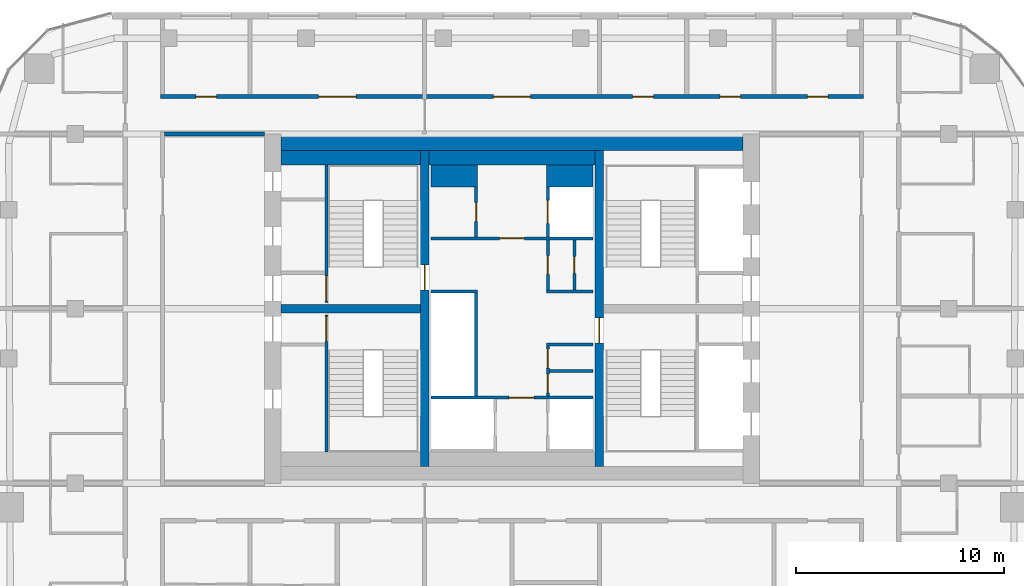
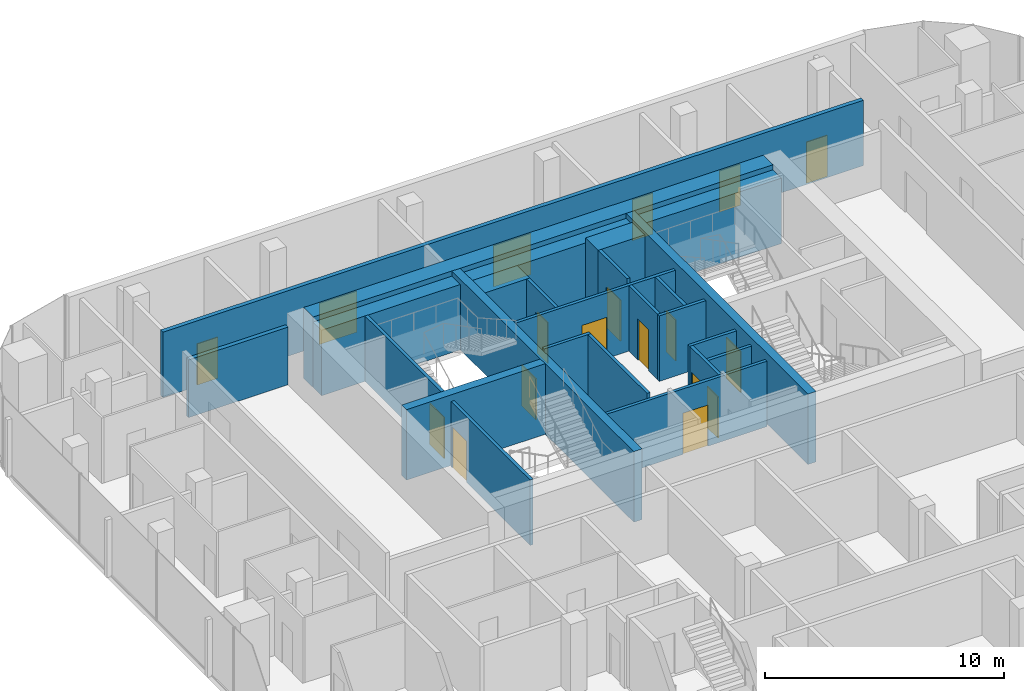
# One storey, part 18 of 21: 23 walls, 18 doors, 18 openings.
"""IFC4 building model written with IfcOpenShell, lengths in metres."""

from ifc_helpers import new_model, si_unit, direction, frame, frame_2d, origin, place, context, subcontext, project, spatial, rectangle, extrude, material, layer, layer_set, type_object, element, fill, save


model = new_model("IFC4")

# Units and contexts
model_context = context("Model", 3, precision=1e-05, world=origin(), true_north=direction((0.0, 1.0)))
body_context = subcontext(model_context, "Body", "Model", "MODEL_VIEW")
ifc_project = project(units=[si_unit("LENGTHUNIT", "METRE"), si_unit("AREAUNIT", "SQUARE_METRE"), si_unit("VOLUMEUNIT", "CUBIC_METRE"), si_unit("PLANEANGLEUNIT", "RADIAN"), si_unit("MASSUNIT", "GRAM", prefix="KILO")], contexts=[model_context])

# Site, building, storey
site_placement = place(None, origin())
site = spatial("IfcSite", under=ifc_project, at=site_placement, CompositionType="ELEMENT")
building_placement = place(site_placement, origin())
building = spatial("IfcBuilding", under=site, at=building_placement, Name="Marenta Gate Hotel Tower", CompositionType="ELEMENT")
storey_placement = place(building_placement, frame((0.0, 0.0, 245.300048828125)))
storey = spatial("IfcBuildingStorey", under=building, at=storey_placement, Name="L58", CompositionType="ELEMENT", Elevation=245.300048828125)

# Walls
ifc_material_1 = material(Name="Concrete blockwork", Category="masonry")
ifc_layer_1 = layer(ifc_material_1, 0.199951171875)
ifc_layer_set_1 = layer_set([ifc_layer_1], Name="Concrete blockwork")
wall_type_1 = type_object("IfcWallType", Name="Core boundary wall 200 REI 180", PredefinedType="PARTITIONING", material=ifc_layer_set_1)
wall_1_placement = place(storey_placement, frame((-16.699951171875, 16.800048828125, 0.0), z_axis=(0.0, 0.0, 1.0), x_axis=(1.0, 0.0, 0.0)))
element("IfcWall", 1, at=wall_1_placement, inside=storey, type_object=wall_type_1, Name="L58-CP-EW-WN", PredefinedType="PARTITIONING", context=body_context, shape_type="SweptSolid", body=[
    extrude(rectangle(XDim=4.800048828125, YDim=0.199951171875, at=frame_2d((2.39990234375, 0.0))), origin(), (0.0, 0.0, 1.0), 2.93994140625),
])
ifc_material_2 = material(Name="Concrete C40", Category="concrete")
ifc_layer_2 = layer(ifc_material_2, 0.699951171875)
ifc_layer_set_2 = layer_set([ifc_layer_2], Name="Concrete C40")
wall_type_2 = type_object("IfcWallType", Name="Core lining wall 700 REI 180", PredefinedType="PARTITIONING", material=ifc_layer_set_2)
wall_2_placement = place(storey_placement, frame((-11.10009765625, 15.64990234375, 0.0), z_axis=(0.0, 0.0, 1.0), x_axis=(1.0, 0.0, 0.0)))
element("IfcWall", 2, at=wall_2_placement, inside=storey, type_object=wall_type_2, Name="L58-CP-LN-N", PredefinedType="PARTITIONING", context=body_context, shape_type="SweptSolid", body=[
    extrude(rectangle(XDim=22.2001953125, YDim=0.699951171875, at=frame_2d((11.10009765625, 0.0))), origin(), (0.0, 0.0, 1.0), 3.33984375),
])

# Wall, opening, door
ifc_material_3 = material(Name="Concrete blockwork", Category="masonry")
ifc_layer_3 = layer(ifc_material_3, 0.14990234375)
ifc_layer_set_3 = layer_set([ifc_layer_3], Name="Concrete blockwork")
wall_type_3 = type_object("IfcWallType", Name="Core lobby partition 150 REI 180", PredefinedType="PARTITIONING", material=ifc_layer_set_3)
wall_3_placement = place(storey_placement, frame((-3.89990234375, 4.125, 0.0), z_axis=(0.0, 0.0, 1.0), x_axis=(1.0, 0.0, 0.0)))
wall_3 = element("IfcWall", 3, at=wall_3_placement, inside=storey, type_object=wall_type_3, Name="L58-CP-CW-S", PredefinedType="PARTITIONING", context=body_context, shape_type="SweptSolid", body=[
    extrude(rectangle(XDim=7.7998046875, YDim=0.14990234375, at=frame_2d((3.89990234375, 0.0))), origin(), (0.0, 0.0, 1.0), 3.33984375),
])
opening_1_placement = place(wall_3_placement, frame((3.75, 0.0, 0.0)))
opening_1 = element("IfcOpeningElement", 4, at=opening_1_placement, cuts=wall_3, Name="Opening FD-FFS", PredefinedType="OPENING", context=body_context, shape_type="SweptSolid", body=[
    extrude(rectangle(XDim=1.199951171875, YDim=2.10009765625, at=frame_2d((0.60009765625, 1.050048828125))), frame((0.0, 0.074951171875, 0.0), z_axis=(0.0, -1.0, 0.0), x_axis=(1.0, 0.0, 0.0)), (0.0, 0.0, 1.0), 0.14990234375),
])
ifc_material_4 = material(Name="Steel", Category="steel")
door_type_1 = type_object("IfcDoorType", Name="Core lobby door 1200x2100 FD60", OperationType="SINGLE_SWING_LEFT", PredefinedType="DOOR", material=ifc_material_4)
door_1_placement = place(opening_1_placement, origin())
door_1 = element("IfcDoor", 5, at=door_1_placement, inside=storey, type_object=door_type_1, Name="FD-FFS", OperationType="SINGLE_SWING_LEFT", OverallHeight=2.10009765625, OverallWidth=1.199951171875, PredefinedType="DOOR", context=body_context, shape_type="SweptSolid", body=[
    extrude(rectangle(XDim=1.199951171875, YDim=2.10009765625, at=frame_2d((0.60009765625, 1.050048828125))), frame((0.0, 0.02490234375, 0.0), z_axis=(0.0, -1.0, 0.0), x_axis=(1.0, 0.0, 0.0)), (0.0, 0.0, 1.0), 0.050048828125),
])
fill(opening_1, door_1)

wall_4_placement = place(storey_placement, frame((-3.89990234375, 11.77490234375, 0.0), z_axis=(0.0, 0.0, 1.0), x_axis=(1.0, 0.0, 0.0)))
wall_4 = element("IfcWall", 6, at=wall_4_placement, inside=storey, type_object=wall_type_3, Name="L58-CP-CW-N", PredefinedType="PARTITIONING", context=body_context, shape_type="SweptSolid", body=[
    extrude(rectangle(XDim=7.7998046875, YDim=0.14990234375, at=frame_2d((3.89990234375, 0.0))), origin(), (0.0, 0.0, 1.0), 3.33984375),
])
opening_2_placement = place(wall_4_placement, frame((3.300048828125, 0.0, 0.0)))
opening_2 = element("IfcOpeningElement", 7, at=opening_2_placement, cuts=wall_4, Name="Opening FD-FFN", PredefinedType="OPENING", context=body_context, shape_type="SweptSolid", body=[
    extrude(rectangle(XDim=1.199951171875, YDim=2.10009765625, at=frame_2d((0.60009765625, 1.050048828125))), frame((0.0, 0.074951171875, 0.0), z_axis=(0.0, -1.0, 0.0), x_axis=(1.0, 0.0, 0.0)), (0.0, 0.0, 1.0), 0.14990234375),
])
door_2_placement = place(opening_2_placement, origin())
door_2 = element("IfcDoor", 8, at=door_2_placement, inside=storey, type_object=door_type_1, Name="FD-FFN", OperationType="SINGLE_SWING_LEFT", OverallHeight=2.10009765625, OverallWidth=1.199951171875, PredefinedType="DOOR", context=body_context, shape_type="SweptSolid", body=[
    extrude(rectangle(XDim=1.199951171875, YDim=2.10009765625, at=frame_2d((0.60009765625, 1.050048828125))), frame((0.0, 0.02490234375, 0.0), z_axis=(0.0, -1.0, 0.0), x_axis=(1.0, 0.0, 0.0)), (0.0, 0.0, 1.0), 0.050048828125),
])
fill(opening_2, door_2)

# Wall
ifc_material_5 = material(Name="Concrete blockwork", Category="masonry")
ifc_layer_4 = layer(ifc_material_5, 1.050048828125)
ifc_layer_set_4 = layer_set([ifc_layer_4], Name="Concrete blockwork")
wall_type_4 = type_object("IfcWallType", Name="Core room partition 1050 REI 180", PredefinedType="PARTITIONING", material=ifc_layer_set_4)
wall_5_placement = place(storey_placement, frame((-3.89990234375, 14.77490234375, 0.0), z_axis=(0.0, 0.0, 1.0), x_axis=(1.0, 0.0, 0.0)))
element("IfcWall", 9, at=wall_5_placement, inside=storey, type_object=wall_type_4, Name="L58-CP-CW-W-riser-N", PredefinedType="PARTITIONING", context=body_context, shape_type="SweptSolid", body=[
    extrude(rectangle(XDim=2.25, YDim=1.050048828125, at=frame_2d((1.125, 0.0))), origin(), (0.0, 0.0, 1.0), 3.33984375),
])

# Wall, opening, door
ifc_material_6 = material(Name="Concrete blockwork", Category="masonry")
ifc_layer_5 = layer(ifc_material_6, 0.14990234375)
ifc_layer_set_5 = layer_set([ifc_layer_5], Name="Concrete blockwork")
wall_type_5 = type_object("IfcWallType", Name="Core room partition 150 REI 180", PredefinedType="PARTITIONING", material=ifc_layer_set_5)
wall_6_placement = place(storey_placement, frame((-1.72509765625, 11.85009765625, 0.0), z_axis=(0.0, 0.0, 1.0), x_axis=(0.0, 1.0, 0.0)))
wall_6 = element("IfcWall", 10, at=wall_6_placement, inside=storey, type_object=wall_type_5, Name="L58-CP-CW-W-riser-front", PredefinedType="PARTITIONING", context=body_context, shape_type="SweptSolid", body=[
    extrude(rectangle(XDim=2.39990234375, YDim=0.14990234375, at=frame_2d((1.199951171875, 0.0))), origin(), (0.0, 0.0, 1.0), 3.33984375),
])
opening_3_placement = place(wall_6_placement, frame((0.75, 0.0, 0.0)))
opening_3 = element("IfcOpeningElement", 11, at=opening_3_placement, cuts=wall_6, Name="Opening RD-CRISER", PredefinedType="OPENING", context=body_context, shape_type="SweptSolid", body=[
    extrude(rectangle(XDim=0.89990234375, YDim=2.10009765625, at=frame_2d((0.449951171875, 1.050048828125))), frame((0.0, 0.074951171875, 0.0), z_axis=(0.0, -1.0, 0.0), x_axis=(1.0, 0.0, 0.0)), (0.0, 0.0, 1.0), 0.14990234375),
])
ifc_material_7 = material(Name="Steel", Category="steel")
door_type_2 = type_object("IfcDoorType", Name="Core riser door 900x2100 FD60", OperationType="SINGLE_SWING_LEFT", PredefinedType="DOOR", material=ifc_material_7)
door_3_placement = place(opening_3_placement, origin())
door_3 = element("IfcDoor", 12, at=door_3_placement, inside=storey, type_object=door_type_2, Name="RD-CRISER", OperationType="SINGLE_SWING_LEFT", OverallHeight=2.10009765625, OverallWidth=0.89990234375, PredefinedType="DOOR", context=body_context, shape_type="SweptSolid", body=[
    extrude(rectangle(XDim=0.89990234375, YDim=2.10009765625, at=frame_2d((0.449951171875, 1.050048828125))), frame((0.0, 0.02490234375, 0.0), z_axis=(0.0, -1.0, 0.0), x_axis=(1.0, 0.0, 0.0)), (0.0, 0.0, 1.0), 0.050048828125),
])
fill(opening_3, door_3)

# Walls
for number, where, z_axis, x_axis, name in (
    (13, (1.64990234375, 6.675048828125, 0.0), (0.0, 0.0, 1.0), (1.0, 0.0, 0.0), "L58-CP-CE-sep1"),
    (14, (1.64990234375, 9.22509765625, 0.0), (0.0, 0.0, 1.0), (1.0, 0.0, 0.0), "L58-CP-CE-sep2"),
):
    element("IfcWall", number, at=place(storey_placement, frame(where, z_axis=z_axis, x_axis=x_axis)), inside=storey, type_object=wall_type_5, Name=name, PredefinedType="PARTITIONING", context=body_context, shape_type="SweptSolid", body=[
        extrude(rectangle(XDim=2.25, YDim=0.14990234375, at=frame_2d((1.125, 0.0))), origin(), (0.0, 0.0, 1.0), 3.33984375),
    ])

# Wall, openings, doors
wall_7_placement = place(storey_placement, frame((1.72509765625, 4.199951171875, 0.0), z_axis=(0.0, 0.0, 1.0), x_axis=(0.0, 1.0, 0.0)))
wall_7 = element("IfcWall", 15, at=wall_7_placement, inside=storey, type_object=wall_type_5, Name="L58-CP-CE-front-1", PredefinedType="PARTITIONING", context=body_context, shape_type="SweptSolid", body=[
    extrude(rectangle(XDim=2.400146484375, YDim=0.14990234375, at=frame_2d((1.2001953125, 0.0))), origin(), (0.0, 0.0, 1.0), 3.33984375),
])
opening_4_placement = place(wall_7_placement, frame((0.14990234375, 0.0, 0.0)))
opening_4 = element("IfcOpeningElement", 16, at=opening_4_placement, cuts=wall_7, Name="Opening RD-CE-1a", PredefinedType="OPENING", context=body_context, shape_type="SweptSolid", body=[
    extrude(rectangle(XDim=0.89990234375, YDim=2.10009765625, at=frame_2d((0.449951171875, 1.050048828125))), frame((0.0, 0.074951171875, 0.0), z_axis=(0.0, -1.0, 0.0), x_axis=(1.0, 0.0, 0.0)), (0.0, 0.0, 1.0), 0.14990234375),
])
opening_5_placement = place(wall_7_placement, frame((1.35009765625, 0.0, 0.0)))
opening_5 = element("IfcOpeningElement", 17, at=opening_5_placement, cuts=wall_7, Name="Opening RD-CE-1b-B", PredefinedType="OPENING", context=body_context, shape_type="SweptSolid", body=[
    extrude(rectangle(XDim=0.89990234375, YDim=2.10009765625, at=frame_2d((0.449951171875, 1.050048828125))), frame((0.0, 0.074951171875, 0.0), z_axis=(0.0, -1.0, 0.0), x_axis=(1.0, 0.0, 0.0)), (0.0, 0.0, 1.0), 0.14990234375),
])
ifc_material_8 = material(Name="Steel", Category="steel")
door_type_3 = type_object("IfcDoorType", Name="Core service room door 900x2100 FD30S", OperationType="SINGLE_SWING_LEFT", PredefinedType="DOOR", material=ifc_material_8)
door_4_placement = place(opening_4_placement, origin())
door_4 = element("IfcDoor", 18, at=door_4_placement, inside=storey, type_object=door_type_3, Name="RD-CE-1a", OperationType="SINGLE_SWING_LEFT", OverallHeight=2.10009765625, OverallWidth=0.89990234375, PredefinedType="DOOR", context=body_context, shape_type="SweptSolid", body=[
    extrude(rectangle(XDim=0.89990234375, YDim=2.10009765625, at=frame_2d((0.449951171875, 1.050048828125))), frame((0.0, 0.02490234375, 0.0), z_axis=(0.0, -1.0, 0.0), x_axis=(1.0, 0.0, 0.0)), (0.0, 0.0, 1.0), 0.050048828125),
])
fill(opening_4, door_4)
door_5_placement = place(opening_5_placement, origin())
door_5 = element("IfcDoor", 19, at=door_5_placement, inside=storey, type_object=door_type_3, Name="RD-CE-1b-B", OperationType="SINGLE_SWING_LEFT", OverallHeight=2.10009765625, OverallWidth=0.89990234375, PredefinedType="DOOR", context=body_context, shape_type="SweptSolid", body=[
    extrude(rectangle(XDim=0.89990234375, YDim=2.10009765625, at=frame_2d((0.449951171875, 1.050048828125))), frame((0.0, 0.02490234375, 0.0), z_axis=(0.0, -1.0, 0.0), x_axis=(1.0, 0.0, 0.0)), (0.0, 0.0, 1.0), 0.050048828125),
])
fill(opening_5, door_5)

# Wall, opening, door
wall_8_placement = place(storey_placement, frame((1.72509765625, 9.300048828125, 0.0), z_axis=(0.0, 0.0, 1.0), x_axis=(0.0, 1.0, 0.0)))
wall_8 = element("IfcWall", 20, at=wall_8_placement, inside=storey, type_object=wall_type_5, Name="L58-CP-CE-front-2", PredefinedType="PARTITIONING", context=body_context, shape_type="SweptSolid", body=[
    extrude(rectangle(XDim=2.39990234375, YDim=0.14990234375, at=frame_2d((1.199951171875, 0.0))), origin(), (0.0, 0.0, 1.0), 3.33984375),
])
opening_6_placement = place(wall_8_placement, frame((0.75, 0.0, 0.0)))
opening_6 = element("IfcOpeningElement", 21, at=opening_6_placement, cuts=wall_8, Name="Opening RD-CE-2a", PredefinedType="OPENING", context=body_context, shape_type="SweptSolid", body=[
    extrude(rectangle(XDim=0.89990234375, YDim=2.10009765625, at=frame_2d((0.449951171875, 1.050048828125))), frame((0.0, 0.074951171875, 0.0), z_axis=(0.0, -1.0, 0.0), x_axis=(1.0, 0.0, 0.0)), (0.0, 0.0, 1.0), 0.14990234375),
])
door_6_placement = place(opening_6_placement, origin())
door_6 = element("IfcDoor", 22, at=door_6_placement, inside=storey, type_object=door_type_3, Name="RD-CE-2a", OperationType="SINGLE_SWING_LEFT", OverallHeight=2.10009765625, OverallWidth=0.89990234375, PredefinedType="DOOR", context=body_context, shape_type="SweptSolid", body=[
    extrude(rectangle(XDim=0.89990234375, YDim=2.10009765625, at=frame_2d((0.449951171875, 1.050048828125))), frame((0.0, 0.02490234375, 0.0), z_axis=(0.0, -1.0, 0.0), x_axis=(1.0, 0.0, 0.0)), (0.0, 0.0, 1.0), 0.050048828125),
])
fill(opening_6, door_6)

# Wall
wall_9_placement = place(storey_placement, frame((1.800048828125, 5.39990234375, 0.0), z_axis=(0.0, 0.0, 1.0), x_axis=(1.0, 0.0, 0.0)))
element("IfcWall", 23, at=wall_9_placement, inside=storey, type_object=wall_type_5, Name="L58-CP-CE-RW-1", PredefinedType="PARTITIONING", context=body_context, shape_type="SweptSolid", body=[
    extrude(rectangle(XDim=2.099853515625, YDim=0.14990234375, at=frame_2d((1.0498046875, 0.0))), origin(), (0.0, 0.0, 1.0), 3.33984375),
])

# Wall, opening, door
wall_10_placement = place(storey_placement, frame((3.0, 9.300048828125, 0.0), z_axis=(0.0, 0.0, 1.0), x_axis=(0.0, 1.0, 0.0)))
wall_10 = element("IfcWall", 24, at=wall_10_placement, inside=storey, type_object=wall_type_5, Name="L58-CP-CE-RW-2", PredefinedType="PARTITIONING", context=body_context, shape_type="SweptSolid", body=[
    extrude(rectangle(XDim=2.39990234375, YDim=0.14990234375, at=frame_2d((1.199951171875, 0.0))), origin(), (0.0, 0.0, 1.0), 3.33984375),
])
opening_7_placement = place(wall_10_placement, frame((0.800048828125, 0.0, 0.0)))
opening_7 = element("IfcOpeningElement", 25, at=opening_7_placement, cuts=wall_10, Name="Opening RD-CE-2b-A", PredefinedType="OPENING", context=body_context, shape_type="SweptSolid", body=[
    extrude(rectangle(XDim=0.800048828125, YDim=2.10009765625, at=frame_2d((0.39990234375, 1.050048828125))), frame((0.0, 0.074951171875, 0.0), z_axis=(0.0, -1.0, 0.0), x_axis=(1.0, 0.0, 0.0)), (0.0, 0.0, 1.0), 0.14990234375),
])
ifc_material_9 = material(Name="Steel", Category="steel")
door_type_4 = type_object("IfcDoorType", Name="Core riser door 800x2100 FD60", OperationType="SINGLE_SWING_LEFT", PredefinedType="DOOR", material=ifc_material_9)
door_7_placement = place(opening_7_placement, origin())
door_7 = element("IfcDoor", 26, at=door_7_placement, inside=storey, type_object=door_type_4, Name="RD-CE-2b-A", OperationType="SINGLE_SWING_LEFT", OverallHeight=2.10009765625, OverallWidth=0.800048828125, PredefinedType="DOOR", context=body_context, shape_type="SweptSolid", body=[
    extrude(rectangle(XDim=0.800048828125, YDim=2.10009765625, at=frame_2d((0.39990234375, 1.050048828125))), frame((0.0, 0.02490234375, 0.0), z_axis=(0.0, -1.0, 0.0), x_axis=(1.0, 0.0, 0.0)), (0.0, 0.0, 1.0), 0.050048828125),
])
fill(opening_7, door_7)

# Walls
ifc_material_10 = material(Name="Concrete C40", Category="concrete")
ifc_layer_6 = layer(ifc_material_10, 1.050048828125)
ifc_layer_set_6 = layer_set([ifc_layer_6], Name="Concrete C40")
wall_type_6 = type_object("IfcWallType", Name="Core shaft wall 1050 REI 180", PredefinedType="SHEAR", material=ifc_layer_set_6)
wall_11_placement = place(storey_placement, frame((1.64990234375, 14.77490234375, 0.0), z_axis=(0.0, 0.0, 1.0), x_axis=(1.0, 0.0, 0.0)))
element("IfcWall", 27, at=wall_11_placement, inside=storey, type_object=wall_type_6, Name="L58-SHF-CE-N-top", PredefinedType="SHEAR", context=body_context, shape_type="SweptSolid", body=[
    extrude(rectangle(XDim=2.25, YDim=1.050048828125, at=frame_2d((1.125, 0.0))), origin(), (0.0, 0.0, 1.0), 3.599853515625),
])
ifc_material_11 = material(Name="Concrete C40", Category="concrete")
ifc_layer_7 = layer(ifc_material_11, 0.14990234375)
ifc_layer_set_7 = layer_set([ifc_layer_7], Name="Concrete C40")
wall_type_7 = type_object("IfcWallType", Name="Core shaft wall 150 REI 180", PredefinedType="SHEAR", material=ifc_layer_set_7)
wall_12_placement = place(storey_placement, frame((-1.72509765625, 4.199951171875, 0.0), z_axis=(0.0, 0.0, 1.0), x_axis=(0.0, 1.0, 0.0)))
element("IfcWall", 28, at=wall_12_placement, inside=storey, type_object=wall_type_7, Name="L58-SHF-CW-W-front", PredefinedType="SHEAR", context=body_context, shape_type="SweptSolid", body=[
    extrude(rectangle(XDim=4.949951171875, YDim=0.14990234375, at=frame_2d((2.47509765625, 0.0))), origin(), (0.0, 0.0, 1.0), 3.599853515625),
])
wall_13_placement = place(storey_placement, frame((-3.89990234375, 9.22509765625, 0.0), z_axis=(0.0, 0.0, 1.0), x_axis=(1.0, 0.0, 0.0)))
element("IfcWall", 29, at=wall_13_placement, inside=storey, type_object=wall_type_7, Name="L58-SHF-CW-W-sep", PredefinedType="SHEAR", context=body_context, shape_type="SweptSolid", body=[
    extrude(rectangle(XDim=2.25, YDim=0.14990234375, at=frame_2d((1.125, 0.0))), origin(), (0.0, 0.0, 1.0), 3.599853515625),
])

# Wall, opening, door
wall_14_placement = place(storey_placement, frame((1.72509765625, 11.85009765625, 0.0), z_axis=(0.0, 0.0, 1.0), x_axis=(0.0, 1.0, 0.0)))
wall_14 = element("IfcWall", 30, at=wall_14_placement, inside=storey, type_object=wall_type_7, Name="L58-SHF-CE-N-front2", PredefinedType="SHEAR", context=body_context, shape_type="SweptSolid", body=[
    extrude(rectangle(XDim=2.39990234375, YDim=0.14990234375, at=frame_2d((1.199951171875, 0.0))), origin(), (0.0, 0.0, 1.0), 3.599853515625),
])
opening_8_placement = place(wall_14_placement, frame((0.64990234375, 0.0, 0.0)))
opening_8 = element("IfcOpeningElement", 31, at=opening_8_placement, cuts=wall_14, Name="Opening LD-FF2", PredefinedType="OPENING", context=body_context, shape_type="SweptSolid", body=[
    extrude(rectangle(XDim=1.10009765625, YDim=2.10009765625, at=frame_2d((0.550048828125, 1.050048828125))), frame((0.0, 0.074951171875, 0.0), z_axis=(0.0, -1.0, 0.0), x_axis=(1.0, 0.0, 0.0)), (0.0, 0.0, 1.0), 0.14990234375),
])
ifc_material_12 = material(Name="Steel", Category="steel")
door_type_5 = type_object("IfcDoorType", Name="Core lift landing door 1100x2100 E 60", OperationType="SLIDING_TO_LEFT", PredefinedType="DOOR", material=ifc_material_12)
door_8_placement = place(opening_8_placement, origin())
door_8 = element("IfcDoor", 32, at=door_8_placement, inside=storey, type_object=door_type_5, Name="LD-FF2", OperationType="SLIDING_TO_LEFT", OverallHeight=2.10009765625, OverallWidth=1.10009765625, PredefinedType="DOOR", context=body_context, shape_type="SweptSolid", body=[
    extrude(rectangle(XDim=1.10009765625, YDim=2.10009765625, at=frame_2d((0.550048828125, 1.050048828125))), frame((0.0, 0.02490234375, 0.0), z_axis=(0.0, -1.0, 0.0), x_axis=(1.0, 0.0, 0.0)), (0.0, 0.0, 1.0), 0.050048828125),
])
fill(opening_8, door_8)

ifc_material_13 = material(Name="Concrete C40", Category="concrete")
ifc_layer_8 = layer(ifc_material_13, 0.14990234375)
ifc_layer_set_8 = layer_set([ifc_layer_8], Name="Concrete C40")
wall_type_8 = type_object("IfcWallType", Name="Core stair enclosure wall 150 REI 180", PredefinedType="SHEAR", material=ifc_layer_set_8)
wall_15_placement = place(storey_placement, frame((-8.925048828125, 1.5, 0.0), z_axis=(0.0, 0.0, 1.0), x_axis=(0.0, 1.0, 0.0)))
wall_15 = element("IfcWall", 33, at=wall_15_placement, inside=storey, type_object=wall_type_8, Name="L58-SHF-SW-WS-3", PredefinedType="SHEAR", context=body_context, shape_type="SweptSolid", body=[
    extrude(rectangle(XDim=6.60009765625, YDim=0.14990234375, at=frame_2d((3.300048828125, 0.0))), origin(), (0.0, 0.0, 1.0), 3.33984375),
])
opening_9_placement = place(wall_15_placement, frame((5.324951171875, 0.0, 0.0)))
opening_9 = element("IfcOpeningElement", 34, at=opening_9_placement, cuts=wall_15, Name="Opening SD-WS", PredefinedType="OPENING", context=body_context, shape_type="SweptSolid", body=[
    extrude(rectangle(XDim=1.199951171875, YDim=2.10009765625, at=frame_2d((0.60009765625, 1.050048828125))), frame((0.0, 0.074951171875, 0.0), z_axis=(0.0, -1.0, 0.0), x_axis=(1.0, 0.0, 0.0)), (0.0, 0.0, 1.0), 0.14990234375),
])
ifc_material_14 = material(Name="Steel", Category="steel")
door_type_6 = type_object("IfcDoorType", Name="Core stair door 1200x2100 FD60", OperationType="SINGLE_SWING_LEFT", PredefinedType="DOOR", material=ifc_material_14)
door_9_placement = place(opening_9_placement, origin())
door_9 = element("IfcDoor", 35, at=door_9_placement, inside=storey, type_object=door_type_6, Name="SD-WS", OperationType="SINGLE_SWING_LEFT", OverallHeight=2.10009765625, OverallWidth=1.199951171875, PredefinedType="DOOR", context=body_context, shape_type="SweptSolid", body=[
    extrude(rectangle(XDim=1.199951171875, YDim=2.10009765625, at=frame_2d((0.60009765625, 1.050048828125))), frame((0.0, 0.02490234375, 0.0), z_axis=(0.0, -1.0, 0.0), x_axis=(1.0, 0.0, 0.0)), (0.0, 0.0, 1.0), 0.050048828125),
])
fill(opening_9, door_9)

wall_16_placement = place(storey_placement, frame((-8.925048828125, 8.699951171875, 0.0), z_axis=(0.0, 0.0, 1.0), x_axis=(0.0, 1.0, 0.0)))
wall_16 = element("IfcWall", 36, at=wall_16_placement, inside=storey, type_object=wall_type_8, Name="L58-SHF-SW-WN-3", PredefinedType="SHEAR", context=body_context, shape_type="SweptSolid", body=[
    extrude(rectangle(XDim=6.60009765625, YDim=0.14990234375, at=frame_2d((3.300048828125, 0.0))), origin(), (0.0, 0.0, 1.0), 3.33984375),
])
opening_10_placement = place(wall_16_placement, frame((0.074951171875, 0.0, 0.0)))
opening_10 = element("IfcOpeningElement", 37, at=opening_10_placement, cuts=wall_16, Name="Opening SD-WN", PredefinedType="OPENING", context=body_context, shape_type="SweptSolid", body=[
    extrude(rectangle(XDim=1.199951171875, YDim=2.10009765625, at=frame_2d((0.60009765625, 1.050048828125))), frame((0.0, 0.074951171875, 0.0), z_axis=(0.0, -1.0, 0.0), x_axis=(1.0, 0.0, 0.0)), (0.0, 0.0, 1.0), 0.14990234375),
])
door_10_placement = place(opening_10_placement, origin())
door_10 = element("IfcDoor", 38, at=door_10_placement, inside=storey, type_object=door_type_6, Name="SD-WN", OperationType="SINGLE_SWING_LEFT", OverallHeight=2.10009765625, OverallWidth=1.199951171875, PredefinedType="DOOR", context=body_context, shape_type="SweptSolid", body=[
    extrude(rectangle(XDim=1.199951171875, YDim=2.10009765625, at=frame_2d((0.60009765625, 1.050048828125))), frame((0.0, 0.02490234375, 0.0), z_axis=(0.0, -1.0, 0.0), x_axis=(1.0, 0.0, 0.0)), (0.0, 0.0, 1.0), 0.050048828125),
])
fill(opening_10, door_10)

# Wall
ifc_material_15 = material(Name="Concrete C60", Category="concrete")
ifc_layer_9 = layer(ifc_material_15, 0.800048828125)
ifc_layer_set_9 = layer_set([ifc_layer_9], Name="Concrete C60")
wall_type_9 = type_object("IfcWallType", Name="Core wall 800 C60", PredefinedType="SHEAR", material=ifc_layer_set_9)
wall_17_placement = place(storey_placement, frame((-11.10009765625, 16.39990234375, 0.0), z_axis=(0.0, 0.0, 1.0), x_axis=(1.0, 0.0, 0.0)))
element("IfcWall", 39, at=wall_17_placement, inside=storey, type_object=wall_type_9, Name="L58-CORE-N", PredefinedType="SHEAR", context=body_context, shape_type="SweptSolid", body=[
    extrude(rectangle(XDim=22.2001953125, YDim=0.800048828125, at=frame_2d((11.10009765625, 0.0))), origin(), (0.0, 0.0, 1.0), 3.599853515625),
])

# Wall, opening, door
ifc_material_16 = material(Name="Concrete C60", Category="concrete")
ifc_layer_10 = layer(ifc_material_16, 0.39990234375)
ifc_layer_set_10 = layer_set([ifc_layer_10], Name="Concrete C60")
wall_type_10 = type_object("IfcWallType", Name="Core web 400 C60", PredefinedType="SHEAR", material=ifc_layer_set_10)
wall_18_placement = place(storey_placement, frame((-4.199951171875, 0.800048828125, 0.0), z_axis=(0.0, 0.0, 1.0), x_axis=(0.0, 1.0, 0.0)))
wall_18 = element("IfcWall", 40, at=wall_18_placement, inside=storey, type_object=wall_type_10, Name="L58-CORE-W1", PredefinedType="SHEAR", context=body_context, shape_type="SweptSolid", body=[
    extrude(rectangle(XDim=15.199951171875, YDim=0.39990234375, at=frame_2d((7.60009765625, 0.0))), origin(), (0.0, 0.0, 1.0), 3.599853515625),
])
opening_11_placement = place(wall_18_placement, frame((8.5, 0.0, 0.0)))
opening_11 = element("IfcOpeningElement", 41, at=opening_11_placement, cuts=wall_18, Name="Opening WD-W", PredefinedType="OPENING", context=body_context, shape_type="SweptSolid", body=[
    extrude(rectangle(XDim=1.199951171875, YDim=2.10009765625, at=frame_2d((0.60009765625, 1.050048828125))), frame((0.0, 0.199951171875, 0.0), z_axis=(0.0, -1.0, 0.0), x_axis=(1.0, 0.0, 0.0)), (0.0, 0.0, 1.0), 0.39990234375),
])
door_11_placement = place(opening_11_placement, origin())
door_11 = element("IfcDoor", 42, at=door_11_placement, inside=storey, type_object=door_type_6, Name="WD-W", OperationType="SINGLE_SWING_LEFT", OverallHeight=2.10009765625, OverallWidth=1.199951171875, PredefinedType="DOOR", context=body_context, shape_type="SweptSolid", body=[
    extrude(rectangle(XDim=1.199951171875, YDim=2.10009765625, at=frame_2d((0.60009765625, 1.050048828125))), frame((0.0, 0.02490234375, 0.0), z_axis=(0.0, -1.0, 0.0), x_axis=(1.0, 0.0, 0.0)), (0.0, 0.0, 1.0), 0.050048828125),
])
fill(opening_11, door_11)

wall_19_placement = place(storey_placement, frame((4.199951171875, 0.800048828125, 0.0), z_axis=(0.0, 0.0, 1.0), x_axis=(0.0, 1.0, 0.0)))
wall_19 = element("IfcWall", 43, at=wall_19_placement, inside=storey, type_object=wall_type_10, Name="L58-CORE-W2", PredefinedType="SHEAR", context=body_context, shape_type="SweptSolid", body=[
    extrude(rectangle(XDim=15.199951171875, YDim=0.39990234375, at=frame_2d((7.60009765625, 0.0))), origin(), (0.0, 0.0, 1.0), 3.599853515625),
])
opening_12_placement = place(wall_19_placement, frame((5.949951171875, 0.0, 0.0)))
opening_12 = element("IfcOpeningElement", 44, at=opening_12_placement, cuts=wall_19, Name="Opening WD-E", PredefinedType="OPENING", context=body_context, shape_type="SweptSolid", body=[
    extrude(rectangle(XDim=1.199951171875, YDim=2.10009765625, at=frame_2d((0.60009765625, 1.050048828125))), frame((0.0, 0.199951171875, 0.0), z_axis=(0.0, -1.0, 0.0), x_axis=(1.0, 0.0, 0.0)), (0.0, 0.0, 1.0), 0.39990234375),
])
door_12_placement = place(opening_12_placement, origin())
door_12 = element("IfcDoor", 45, at=door_12_placement, inside=storey, type_object=door_type_6, Name="WD-E", OperationType="SINGLE_SWING_LEFT", OverallHeight=2.10009765625, OverallWidth=1.199951171875, PredefinedType="DOOR", context=body_context, shape_type="SweptSolid", body=[
    extrude(rectangle(XDim=1.199951171875, YDim=2.10009765625, at=frame_2d((0.60009765625, 1.050048828125))), frame((0.0, 0.02490234375, 0.0), z_axis=(0.0, -1.0, 0.0), x_axis=(1.0, 0.0, 0.0)), (0.0, 0.0, 1.0), 0.050048828125),
])
fill(opening_12, door_12)

# Wall
wall_20_placement = place(storey_placement, frame((-11.10009765625, 8.39990234375, 0.0), z_axis=(0.0, 0.0, 1.0), x_axis=(1.0, 0.0, 0.0)))
element("IfcWall", 46, at=wall_20_placement, inside=storey, type_object=wall_type_10, Name="L58-CORE-W3", PredefinedType="SHEAR", context=body_context, shape_type="SweptSolid", body=[
    extrude(rectangle(XDim=6.7001953125, YDim=0.39990234375, at=frame_2d((3.35009765625, 0.0))), origin(), (0.0, 0.0, 1.0), 3.599853515625),
])

# Wall, openings, doors
ifc_material_17 = material(Name="Gypsum board on steel stud", Category="steel")
ifc_layer_11 = layer(ifc_material_17, 0.199951171875)
ifc_layer_set_11 = layer_set([ifc_layer_11], Name="Gypsum board on steel stud")
wall_type_11 = type_object("IfcWallType", Name="Room corridor wall 200 EI 60", PredefinedType="PARTITIONING", material=ifc_layer_set_11)
wall_21_placement = place(storey_placement, frame((-16.89990234375, 18.60009765625, 0.0), z_axis=(0.0, 0.0, 1.0), x_axis=(1.0, 0.0, 0.0)))
wall_21 = element("IfcWall", 47, at=wall_21_placement, inside=storey, type_object=wall_type_11, Name="L58-PTN-W102", PredefinedType="PARTITIONING", context=body_context, shape_type="SweptSolid", body=[
    extrude(rectangle(XDim=33.7998046875, YDim=0.199951171875, at=frame_2d((16.89990234375, 0.0))), origin(), (0.0, 0.0, 1.0), 3.33984375),
])
opening_13_placement = place(wall_21_placement, frame((1.699951171875, 0.0, 0.0)))
opening_13 = element("IfcOpeningElement", 48, at=opening_13_placement, cuts=wall_21, Name="Opening G21-29", PredefinedType="OPENING", context=body_context, shape_type="SweptSolid", body=[
    extrude(rectangle(XDim=1.0, YDim=2.10009765625, at=frame_2d((0.5, 1.050048828125))), frame((0.0, 0.10009765625, 0.0), z_axis=(0.0, -1.0, 0.0), x_axis=(1.0, 0.0, 0.0)), (0.0, 0.0, 1.0), 0.199951171875),
])
opening_14_placement = place(wall_21_placement, frame((7.60009765625, 0.0, 0.0)))
opening_14 = element("IfcOpeningElement", 49, at=opening_14_placement, cuts=wall_21, Name="Opening G21-30", PredefinedType="OPENING", context=body_context, shape_type="SweptSolid", body=[
    extrude(rectangle(XDim=1.800048828125, YDim=2.10009765625, at=frame_2d((0.89990234375, 1.050048828125))), frame((0.0, 0.10009765625, 0.0), z_axis=(0.0, -1.0, 0.0), x_axis=(1.0, 0.0, 0.0)), (0.0, 0.0, 1.0), 0.199951171875),
])
opening_15_placement = place(wall_21_placement, frame((16.0, 0.0, 0.0)))
opening_15 = element("IfcOpeningElement", 50, at=opening_15_placement, cuts=wall_21, Name="Opening G21-31", PredefinedType="OPENING", context=body_context, shape_type="SweptSolid", body=[
    extrude(rectangle(XDim=1.800048828125, YDim=2.10009765625, at=frame_2d((0.89990234375, 1.050048828125))), frame((0.0, 0.10009765625, 0.0), z_axis=(0.0, -1.0, 0.0), x_axis=(1.0, 0.0, 0.0)), (0.0, 0.0, 1.0), 0.199951171875),
])
opening_16_placement = place(wall_21_placement, frame((31.10009765625, 0.0, 0.0)))
opening_16 = element("IfcOpeningElement", 51, at=opening_16_placement, cuts=wall_21, Name="Opening G21-32", PredefinedType="OPENING", context=body_context, shape_type="SweptSolid", body=[
    extrude(rectangle(XDim=1.0, YDim=2.10009765625, at=frame_2d((0.5, 1.050048828125))), frame((0.0, 0.10009765625, 0.0), z_axis=(0.0, -1.0, 0.0), x_axis=(1.0, 0.0, 0.0)), (0.0, 0.0, 1.0), 0.199951171875),
])
opening_17_placement = place(wall_21_placement, frame((22.699951171875, 0.0, 0.0)))
opening_17 = element("IfcOpeningElement", 52, at=opening_17_placement, cuts=wall_21, Name="Opening G21-65", PredefinedType="OPENING", context=body_context, shape_type="SweptSolid", body=[
    extrude(rectangle(XDim=1.0, YDim=2.10009765625, at=frame_2d((0.5, 1.050048828125))), frame((0.0, 0.10009765625, 0.0), z_axis=(0.0, -1.0, 0.0), x_axis=(1.0, 0.0, 0.0)), (0.0, 0.0, 1.0), 0.199951171875),
])
opening_18_placement = place(wall_21_placement, frame((26.89990234375, 0.0, 0.0)))
opening_18 = element("IfcOpeningElement", 53, at=opening_18_placement, cuts=wall_21, Name="Opening G21-66", PredefinedType="OPENING", context=body_context, shape_type="SweptSolid", body=[
    extrude(rectangle(XDim=1.0, YDim=2.10009765625, at=frame_2d((0.5, 1.050048828125))), frame((0.0, 0.10009765625, 0.0), z_axis=(0.0, -1.0, 0.0), x_axis=(1.0, 0.0, 0.0)), (0.0, 0.0, 1.0), 0.199951171875),
])
ifc_material_18 = material(Name="Timber door leaf", Category="wood")
door_type_7 = type_object("IfcDoorType", Name="Room amenity door 1000x2100 EI 30", OperationType="NOTDEFINED", PredefinedType="DOOR", material=ifc_material_18)
door_13_placement = place(opening_13_placement, origin())
door_13 = element("IfcDoor", 54, at=door_13_placement, inside=storey, type_object=door_type_7, Name="L58-PD-D029", OperationType="SINGLE_SWING_LEFT", OverallHeight=2.10009765625, OverallWidth=1.0, PredefinedType="DOOR", context=body_context, shape_type="SweptSolid", body=[
    extrude(rectangle(XDim=1.0, YDim=2.10009765625, at=frame_2d((0.5, 1.050048828125))), frame((0.0, 0.02490234375, 0.0), z_axis=(0.0, -1.0, 0.0), x_axis=(1.0, 0.0, 0.0)), (0.0, 0.0, 1.0), 0.050048828125),
])
fill(opening_13, door_13)
door_14_placement = place(opening_16_placement, origin())
door_14 = element("IfcDoor", 55, at=door_14_placement, inside=storey, type_object=door_type_7, Name="L58-PD-D032", OperationType="SINGLE_SWING_RIGHT", OverallHeight=2.10009765625, OverallWidth=1.0, PredefinedType="DOOR", context=body_context, shape_type="SweptSolid", body=[
    extrude(rectangle(XDim=1.0, YDim=2.10009765625, at=frame_2d((0.5, 1.050048828125))), frame((0.0, 0.02490234375, 0.0), z_axis=(0.0, -1.0, 0.0), x_axis=(1.0, 0.0, 0.0)), (0.0, 0.0, 1.0), 0.050048828125),
])
fill(opening_16, door_14)
door_15_placement = place(opening_17_placement, origin())
door_15 = element("IfcDoor", 56, at=door_15_placement, inside=storey, type_object=door_type_7, Name="L58-PD-D065", OperationType="SINGLE_SWING_LEFT", OverallHeight=2.10009765625, OverallWidth=1.0, PredefinedType="DOOR", context=body_context, shape_type="SweptSolid", body=[
    extrude(rectangle(XDim=1.0, YDim=2.10009765625, at=frame_2d((0.5, 1.050048828125))), frame((0.0, 0.02490234375, 0.0), z_axis=(0.0, -1.0, 0.0), x_axis=(1.0, 0.0, 0.0)), (0.0, 0.0, 1.0), 0.050048828125),
])
fill(opening_17, door_15)
door_16_placement = place(opening_18_placement, origin())
door_16 = element("IfcDoor", 57, at=door_16_placement, inside=storey, type_object=door_type_7, Name="L58-PD-D066", OperationType="SINGLE_SWING_RIGHT", OverallHeight=2.10009765625, OverallWidth=1.0, PredefinedType="DOOR", context=body_context, shape_type="SweptSolid", body=[
    extrude(rectangle(XDim=1.0, YDim=2.10009765625, at=frame_2d((0.5, 1.050048828125))), frame((0.0, 0.02490234375, 0.0), z_axis=(0.0, -1.0, 0.0), x_axis=(1.0, 0.0, 0.0)), (0.0, 0.0, 1.0), 0.050048828125),
])
fill(opening_18, door_16)
ifc_material_19 = material(Name="Timber door leaf", Category="wood")
door_type_8 = type_object("IfcDoorType", Name="Room amenity door 1800x2100 EI 30", OperationType="DOUBLE_DOOR_SINGLE_SWING", PredefinedType="DOOR", material=ifc_material_19)
door_17_placement = place(opening_14_placement, origin())
door_17 = element("IfcDoor", 58, at=door_17_placement, inside=storey, type_object=door_type_8, Name="L58-PD-D030", OperationType="DOUBLE_DOOR_SINGLE_SWING", OverallHeight=2.10009765625, OverallWidth=1.800048828125, PredefinedType="DOOR", context=body_context, shape_type="SweptSolid", body=[
    extrude(rectangle(XDim=1.800048828125, YDim=2.10009765625, at=frame_2d((0.89990234375, 1.050048828125))), frame((0.0, 0.02490234375, 0.0), z_axis=(0.0, -1.0, 0.0), x_axis=(1.0, 0.0, 0.0)), (0.0, 0.0, 1.0), 0.050048828125),
])
fill(opening_14, door_17)
door_18_placement = place(opening_15_placement, origin())
door_18 = element("IfcDoor", 59, at=door_18_placement, inside=storey, type_object=door_type_8, Name="L58-PD-D031", OperationType="DOUBLE_DOOR_SINGLE_SWING", OverallHeight=2.10009765625, OverallWidth=1.800048828125, PredefinedType="DOOR", context=body_context, shape_type="SweptSolid", body=[
    extrude(rectangle(XDim=1.800048828125, YDim=2.10009765625, at=frame_2d((0.89990234375, 1.050048828125))), frame((0.0, 0.02490234375, 0.0), z_axis=(0.0, -1.0, 0.0), x_axis=(1.0, 0.0, 0.0)), (0.0, 0.0, 1.0), 0.050048828125),
])
fill(opening_15, door_18)

save(model, "model.ifc")
